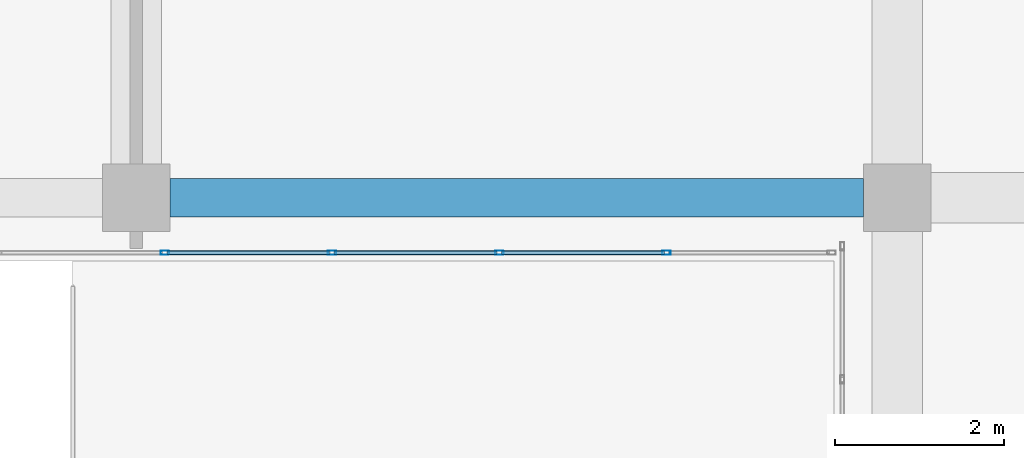
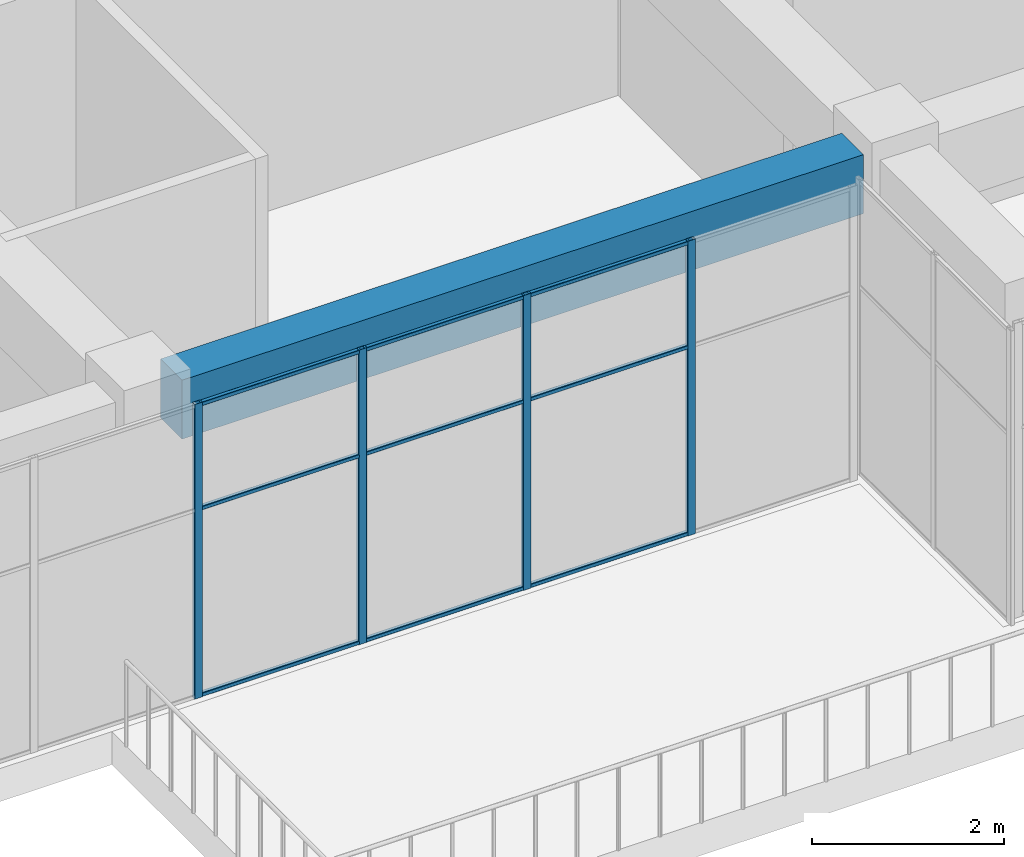
# One storey, part 35 of 81: 13 members, 1 beam, 1 element without a shape of its own.
"""IFC4 building model written with IfcOpenShell, lengths in metres."""

import ifcopenshell
import ifcopenshell.guid

model = None  # the IFC model being written
_history = None  # IfcOwnerHistory: only IFC2X3 demands one
_inside = {}  # id of a spatial element -> (the spatial element, [elements in it])
_under = {}  # id of a project, library or spatial element -> (it, [spatial elements below it])
_declared = {}  # id of a project -> (the project, [libraries it declares])
_typed = {}  # id of a type object -> (the type object, [elements of that type])
_made_of = {}  # id of a material, layer set ... -> (it, [elements and type objects made of it])


def new_model(schema):
    """Start an empty IFC model of exactly this schema.

    Asked for "IFC4X3", IfcOpenShell would pick the latest addendum, in which some entities
    have other attributes; the version numbers below select the first issue.
    IFC2X3 requires an IfcOwnerHistory on every rooted entity: one is made here for all.
    """
    global model, _history
    if schema == "IFC4X3":
        model = ifcopenshell.file(schema_version=(4, 3, 0, 0))
    else:
        model = ifcopenshell.file(schema=schema)
    _inside.clear()
    _under.clear()
    _declared.clear()
    _typed.clear()
    _made_of.clear()
    _history = None
    if model.schema == "IFC2X3":
        org = make("IfcOrganization", Name="unknown")
        user = make(
            "IfcPersonAndOrganization",
            ThePerson=make("IfcPerson", FamilyName="unknown"),
            TheOrganization=org,
        )
        app = make(
            "IfcApplication",
            ApplicationDeveloper=org,
            Version="unknown",
            ApplicationFullName="unknown",
            ApplicationIdentifier="unknown",
        )
        _history = make(
            "IfcOwnerHistory",
            OwningUser=user,
            OwningApplication=app,
            ChangeAction="ADDED",
            CreationDate=0,
        )
    return model


def make(cls, **values):
    """One entity of the class cls with the attributes given. An attribute that is None is left unset."""
    return model.create_entity(
        cls, **{name: value for name, value in values.items() if value is not None}
    )


def rooted(cls, **values):
    """An entity with a GlobalId (a new one), such as an element, a storey or a relation."""
    return make(cls, GlobalId=ifcopenshell.guid.new(), OwnerHistory=_history, **values)


def si_unit(unit_type, name, prefix=None):
    """IfcSIUnit, for example si_unit("LENGTHUNIT", "METRE", prefix="MILLI")."""
    return make("IfcSIUnit", UnitType=unit_type, Prefix=prefix, Name=name)


def assignment(units):
    """IfcUnitAssignment: the units of a project."""
    return None if units is None else make("IfcUnitAssignment", Units=units)


def point(xyz):
    """IfcCartesianPoint."""
    return None if xyz is None else make("IfcCartesianPoint", Coordinates=xyz)


def direction(xyz):
    """IfcDirection."""
    return None if xyz is None else make("IfcDirection", DirectionRatios=xyz)


def frame(location, z_axis=None, x_axis=None):
    """IfcAxis2Placement3D, a coordinate frame: its origin and axes. An axis left out is left unset."""
    return make(
        "IfcAxis2Placement3D",
        Location=point(location),
        Axis=direction(z_axis),
        RefDirection=direction(x_axis),
    )


def frame_2d(location, x_axis=None):
    """IfcAxis2Placement2D, a coordinate frame in the plane: its origin and x axis."""
    return make(
        "IfcAxis2Placement2D", Location=point(location), RefDirection=direction(x_axis)
    )


def origin():
    """The frame at (0, 0, 0) with its axes left unset."""
    return frame((0.0, 0.0, 0.0))


def origin_2d():
    """The frame at (0, 0) in the plane with its x axis left unset."""
    return frame_2d((0.0, 0.0))


def place(relative_to, where):
    """IfcLocalPlacement: puts the frame where relative to a parent placement (None: the world)."""
    return make(
        "IfcLocalPlacement", PlacementRelTo=relative_to, RelativePlacement=where
    )


def context(
    kind, dimensions, precision=None, world=None, true_north=None, identifier=None
):
    """IfcGeometricRepresentationContext, for example the 3D "Model" context."""
    return make(
        "IfcGeometricRepresentationContext",
        ContextIdentifier=identifier,
        ContextType=kind,
        CoordinateSpaceDimension=dimensions,
        Precision=precision,
        WorldCoordinateSystem=world,
        TrueNorth=true_north,
    )


def subcontext(parent, identifier, kind, view, scale=None):
    """IfcGeometricRepresentationSubContext, for example "Body" below "Model"."""
    return make(
        "IfcGeometricRepresentationSubContext",
        ContextIdentifier=identifier,
        ContextType=kind,
        ParentContext=parent,
        TargetScale=scale,
        TargetView=view,
    )


def project(units=None, contexts=None):
    """IfcProject with its units and contexts."""
    return rooted(
        "IfcProject",
        Name="project",
        RepresentationContexts=contexts,
        UnitsInContext=assignment(units),
    )


def spatial(cls, under=None, at=None, **own):
    """A site, building, storey or space (cls), placed at a placement, below another one or the project."""
    s = rooted(cls, ObjectPlacement=at, **own)
    if under is not None:
        _under.setdefault(under.id(), (under, []))[1].append(s)
    return s


def profile(cls, at=None, kind="AREA", **sizes):
    """A parametric profile (cls). Its sizes go by their IFC names, for example OverallWidth=200.0."""
    return make(cls, ProfileType=kind, Position=at, **sizes)


def rectangle(**sizes):
    """IfcRectangleProfileDef."""
    return profile("IfcRectangleProfileDef", **sizes)


def hollow_rectangle(**sizes):
    """IfcRectangleHollowProfileDef."""
    return profile("IfcRectangleHollowProfileDef", **sizes)


def extrude(swept, where, along, depth):
    """IfcExtrudedAreaSolid: the profile swept, set in the frame where, extruded along a direction by depth."""
    return make(
        "IfcExtrudedAreaSolid",
        SweptArea=swept,
        Position=where,
        ExtrudedDirection=direction(along),
        Depth=depth,
    )


def shape(context_of_items, identifier, shape_type, items):
    """IfcShapeRepresentation: the items that make up one representation, for example the "Body"."""
    return make(
        "IfcShapeRepresentation",
        ContextOfItems=context_of_items,
        RepresentationIdentifier=identifier,
        RepresentationType=shape_type,
        Items=items,
    )


def material(Name=None, Category=None):
    """IfcMaterial."""
    return make("IfcMaterial", Name=Name, Category=Category)


def layer(
    of_material, thickness, ventilated=None, Name=None, Category=None, Priority=None
):
    """IfcMaterialLayer: one layer of a wall or slab, of a material (None: an air gap)."""
    return make(
        "IfcMaterialLayer",
        Material=of_material,
        LayerThickness=thickness,
        IsVentilated=ventilated,
        Name=Name,
        Category=Category,
        Priority=Priority,
    )


def layer_set(layers, Name=None):
    """IfcMaterialLayerSet."""
    return make("IfcMaterialLayerSet", MaterialLayers=layers, LayerSetName=Name)


def material_profile(
    of_material, cross_section, Name=None, Category=None, Priority=None
):
    """IfcMaterialProfile: a cross section and its material."""
    return make(
        "IfcMaterialProfile",
        Name=Name,
        Material=of_material,
        Profile=cross_section,
        Priority=Priority,
        Category=Category,
    )


def profile_set(profiles, Name=None, composite=None):
    """IfcMaterialProfileSet."""
    return make(
        "IfcMaterialProfileSet",
        Name=Name,
        MaterialProfiles=profiles,
        CompositeProfile=composite,
    )


def made_of(thing, what):
    """Note that an element or type object is made of a material, layer set ...; save() writes the relation."""
    if what is not None:
        _made_of.setdefault(what.id(), (what, []))[1].append(thing)
    return thing


def type_object(cls, material=None, **own):
    """A type object (cls), such as IfcWallType, which elements share."""
    return made_of(rooted(cls, **own), material)


def element(
    cls,
    number,
    at=None,
    inside=None,
    cuts=None,
    type_object=None,
    material=None,
    context=None,
    identifier="Body",
    shape_type=None,
    held_by="IfcProductDefinitionShape",
    body=None,
    shapes=None,
    **own,
):
    """One element of the class cls, such as IfcWall. Its Tag is "e" and its number.

    at: its placement. inside: the storey or other place that contains it. cuts: it is an
    opening in that element (IfcRelVoidsElement). A single representation is given by context,
    identifier, shape_type and body (its items); several are given by shapes. held_by: the class
    of the entity that holds the representations. save() writes the other relations.
    """
    e = rooted(cls, Tag="e%d" % number, ObjectPlacement=at, **own)
    if body is not None:
        shapes = [shape(context, identifier, shape_type, body)]
    if shapes is not None:
        e.Representation = make(held_by, Representations=shapes)
    if inside is not None:
        _inside.setdefault(inside.id(), (inside, []))[1].append(e)
    if cuts is not None:
        rooted(
            "IfcRelVoidsElement", RelatingBuildingElement=cuts, RelatedOpeningElement=e
        )
    if type_object is not None:
        _typed.setdefault(type_object.id(), (type_object, []))[1].append(e)
    return made_of(e, material)


def aggregate(whole, parts):
    """IfcRelAggregates: a whole, such as a stair, and the parts it consists of."""
    return rooted("IfcRelAggregates", RelatingObject=whole, RelatedObjects=parts)


def save(model, path):
    """Write the relations noted so far, then the file.

    IfcRelAggregates (storeys below a building ...), IfcRelContainedInSpatialStructure (elements
    in a storey), IfcRelDefinesByType, IfcRelAssociatesMaterial and IfcRelDeclares: one each for
    every whole, place, type object, material and project.
    """
    for whole, parts in _under.values():
        aggregate(whole, parts)
    for where, things in _inside.values():
        rooted(
            "IfcRelContainedInSpatialStructure",
            RelatedElements=things,
            RelatingStructure=where,
        )
    for kind, things in _typed.values():
        rooted("IfcRelDefinesByType", RelatedObjects=things, RelatingType=kind)
    for what, things in _made_of.values():
        rooted("IfcRelAssociatesMaterial", RelatedObjects=things, RelatingMaterial=what)
    for by, libraries in _declared.values():
        rooted("IfcRelDeclares", RelatingContext=by, RelatedDefinitions=libraries)
    model.write(path)


model = new_model("IFC4")

# Units and contexts
model_context = context("Model", 3, precision=1e-05, world=origin(), true_north=direction((0.0, 1.0)))
body_context = subcontext(model_context, "Body", "Model", "MODEL_VIEW")
ifc_project = project(units=[si_unit("LENGTHUNIT", "METRE"), si_unit("AREAUNIT", "SQUARE_METRE"), si_unit("VOLUMEUNIT", "CUBIC_METRE"), si_unit("PLANEANGLEUNIT", "RADIAN"), si_unit("MASSUNIT", "GRAM", prefix="KILO")], contexts=[model_context])

# Site, building, storey
site_placement = place(None, origin())
site = spatial("IfcSite", under=ifc_project, at=site_placement, CompositionType="ELEMENT")
building_placement = place(site_placement, origin())
building = spatial("IfcBuilding", under=site, at=building_placement, Name="Tuart Plaza Theatre", CompositionType="ELEMENT")
storey_placement = place(building_placement, frame((0.0, 0.0, 17.5)))
storey = spatial("IfcBuildingStorey", under=building, at=storey_placement, Name="L04", CompositionType="ELEMENT", Elevation=17.5)

# Beam
ifc_material_1 = material(Name="Concrete N40 (40 MPa)", Category="concrete")
ifc_material_profile_1 = material_profile(ifc_material_1, rectangle(XDim=0.449951171875, YDim=0.75, at=origin_2d()), Name="BEAM 450x750 Concrete N40 (40 MPa)")
ifc_profile_set_1 = profile_set([ifc_material_profile_1], Name="Concrete N40 (40 MPa)")
beam_type = type_object("IfcBeamType", Name="BEAM 450x750 Concrete N40 (40 MPa)", PredefinedType="BEAM", material=ifc_profile_set_1)
beam_placement = place(storey_placement, frame((123.39990234375, 56.0, 3.375), z_axis=(1.0, 0.0, 0.0), x_axis=(0.0, 1.0, 0.0)))
element("IfcBeam", 1, at=beam_placement, inside=storey, type_object=beam_type, Name="RB217", PredefinedType="BEAM", context=body_context, shape_type="SweptSolid", body=[
    extrude(rectangle(XDim=0.449951171875, YDim=0.75, at=origin_2d()), origin(), (0.0, 0.0, 1.0), 8.2001953125),
])

# Curtain wall, members
ifc_material_2 = material(Name="Aluminium and glass", Category="aluminium")
ifc_layer = layer(ifc_material_2, 0.10009765625)
ifc_layer_set = layer_set([ifc_layer], Name="CURTAIN WALL 2000 module")
curtain_wall_type = type_object("IfcCurtainWallType", Name="CURTAIN WALL 2000 module", PredefinedType="NOTDEFINED", material=ifc_layer_set)
curtain_wall_placement = place(storey_placement, origin())
curtain_wall = element("IfcCurtainWall", 2, at=curtain_wall_placement, inside=storey, type_object=curtain_wall_type, Name="CW87", PredefinedType="NOTDEFINED")
ifc_material_3 = material(Name="Aluminium 6063-T5", Category="aluminium")
ifc_material_profile_2 = material_profile(ifc_material_3, hollow_rectangle(XDim=0.050048828125, YDim=0.10009765625, WallThickness=0.00390625, InnerFilletRadius=0.00390625, OuterFilletRadius=0.008056640625, at=origin_2d()), Name="RHS 100x50x4")
ifc_profile_set_2 = profile_set([ifc_material_profile_2], Name="Aluminium 6063-T5")
member_type_1 = type_object("IfcMemberType", Name="MULLION RHS 100x50x4", PredefinedType="MULLION", material=ifc_profile_set_2)
member_1_placement = place(storey_placement, frame((123.3388671875, 55.35009765625, 0.0), z_axis=(0.0, 0.0, 1.0), x_axis=(0.0, 1.0, 0.0)))
member_1 = element("IfcMember", 3, at=member_1_placement, type_object=member_type_1, Name="CW87 mullion 6", PredefinedType="MULLION", context=body_context, shape_type="SweptSolid", body=[
    extrude(hollow_rectangle(XDim=0.050048828125, YDim=0.10009765625, WallThickness=0.00390625, InnerFilletRadius=0.00390625, OuterFilletRadius=0.008056640625, at=origin_2d()), origin(), (0.0, 0.0, 1.0), 3.75),
])
member_2_placement = place(storey_placement, frame((125.316650390625, 55.35009765625, 0.0), z_axis=(0.0, 0.0, 1.0), x_axis=(0.0, 1.0, 0.0)))
member_2 = element("IfcMember", 4, at=member_2_placement, type_object=member_type_1, Name="CW87 mullion 7", PredefinedType="MULLION", context=body_context, shape_type="SweptSolid", body=[
    extrude(hollow_rectangle(XDim=0.050048828125, YDim=0.10009765625, WallThickness=0.00390625, InnerFilletRadius=0.00390625, OuterFilletRadius=0.008056640625, at=origin_2d()), origin(), (0.0, 0.0, 1.0), 3.75),
])
member_3_placement = place(storey_placement, frame((127.29443359375, 55.35009765625, 0.0), z_axis=(0.0, 0.0, 1.0), x_axis=(0.0, 1.0, 0.0)))
member_3 = element("IfcMember", 5, at=member_3_placement, type_object=member_type_1, Name="CW87 mullion 8", PredefinedType="MULLION", context=body_context, shape_type="SweptSolid", body=[
    extrude(hollow_rectangle(XDim=0.050048828125, YDim=0.10009765625, WallThickness=0.00390625, InnerFilletRadius=0.00390625, OuterFilletRadius=0.008056640625, at=origin_2d()), origin(), (0.0, 0.0, 1.0), 3.75),
])
member_4_placement = place(storey_placement, frame((129.272216796875, 55.35009765625, 0.0), z_axis=(0.0, 0.0, 1.0), x_axis=(0.0, 1.0, 0.0)))
member_4 = element("IfcMember", 6, at=member_4_placement, type_object=member_type_1, Name="CW87 mullion 9", PredefinedType="MULLION", context=body_context, shape_type="SweptSolid", body=[
    extrude(hollow_rectangle(XDim=0.050048828125, YDim=0.10009765625, WallThickness=0.00390625, InnerFilletRadius=0.00390625, OuterFilletRadius=0.008056640625, at=origin_2d()), origin(), (0.0, 0.0, 1.0), 3.75),
])
ifc_material_4 = material(Name="Aluminium 6063-T5", Category="aluminium")
ifc_material_profile_3 = material_profile(ifc_material_4, hollow_rectangle(XDim=0.050048828125, YDim=0.050048828125, WallThickness=0.00390625, InnerFilletRadius=0.00390625, OuterFilletRadius=0.008056640625, at=origin_2d()), Name="RHS 50x50x4")
ifc_profile_set_3 = profile_set([ifc_material_profile_3], Name="Aluminium 6063-T5")
member_type_2 = type_object("IfcMemberType", Name="TRANSOM RHS 50x50x4", PredefinedType="USERDEFINED", material=ifc_profile_set_3)
member_5_placement = place(storey_placement, frame((123.36376953125, 55.35009765625, 0.02490234375), z_axis=(1.0, 0.0, 0.0), x_axis=(0.0, 1.0, 0.0)))
member_5 = element("IfcMember", 7, at=member_5_placement, type_object=member_type_2, Name="CW87 transom 6.1", ObjectType="TRANSOM", PredefinedType="USERDEFINED", context=body_context, shape_type="SweptSolid", body=[
    extrude(hollow_rectangle(XDim=0.050048828125, YDim=0.050048828125, WallThickness=0.00390625, InnerFilletRadius=0.00390625, OuterFilletRadius=0.008056640625, at=origin_2d()), origin(), (0.0, 0.0, 1.0), 1.927978515625),
])
member_6_placement = place(storey_placement, frame((123.36376953125, 55.35009765625, 2.39990234375), z_axis=(1.0, 0.0, 0.0), x_axis=(0.0, 1.0, 0.0)))
member_6 = element("IfcMember", 8, at=member_6_placement, type_object=member_type_2, Name="CW87 transom 6.2", ObjectType="TRANSOM", PredefinedType="USERDEFINED", context=body_context, shape_type="SweptSolid", body=[
    extrude(hollow_rectangle(XDim=0.050048828125, YDim=0.050048828125, WallThickness=0.00390625, InnerFilletRadius=0.00390625, OuterFilletRadius=0.008056640625, at=origin_2d()), origin(), (0.0, 0.0, 1.0), 1.927978515625),
])
member_7_placement = place(storey_placement, frame((123.36376953125, 55.35009765625, 3.72509765625), z_axis=(1.0, 0.0, 0.0), x_axis=(0.0, 1.0, 0.0)))
member_7 = element("IfcMember", 9, at=member_7_placement, type_object=member_type_2, Name="CW87 transom 6.3", ObjectType="TRANSOM", PredefinedType="USERDEFINED", context=body_context, shape_type="SweptSolid", body=[
    extrude(hollow_rectangle(XDim=0.050048828125, YDim=0.050048828125, WallThickness=0.00390625, InnerFilletRadius=0.00390625, OuterFilletRadius=0.008056640625, at=origin_2d()), origin(), (0.0, 0.0, 1.0), 1.927978515625),
])
member_8_placement = place(storey_placement, frame((125.341552734375, 55.35009765625, 0.02490234375), z_axis=(1.0, 0.0, 0.0), x_axis=(0.0, 1.0, 0.0)))
member_8 = element("IfcMember", 10, at=member_8_placement, type_object=member_type_2, Name="CW87 transom 7.1", ObjectType="TRANSOM", PredefinedType="USERDEFINED", context=body_context, shape_type="SweptSolid", body=[
    extrude(hollow_rectangle(XDim=0.050048828125, YDim=0.050048828125, WallThickness=0.00390625, InnerFilletRadius=0.00390625, OuterFilletRadius=0.008056640625, at=origin_2d()), origin(), (0.0, 0.0, 1.0), 1.927978515625),
])
member_9_placement = place(storey_placement, frame((125.341552734375, 55.35009765625, 2.39990234375), z_axis=(1.0, 0.0, 0.0), x_axis=(0.0, 1.0, 0.0)))
member_9 = element("IfcMember", 11, at=member_9_placement, type_object=member_type_2, Name="CW87 transom 7.2", ObjectType="TRANSOM", PredefinedType="USERDEFINED", context=body_context, shape_type="SweptSolid", body=[
    extrude(hollow_rectangle(XDim=0.050048828125, YDim=0.050048828125, WallThickness=0.00390625, InnerFilletRadius=0.00390625, OuterFilletRadius=0.008056640625, at=origin_2d()), origin(), (0.0, 0.0, 1.0), 1.927978515625),
])
member_10_placement = place(storey_placement, frame((125.341552734375, 55.35009765625, 3.72509765625), z_axis=(1.0, 0.0, 0.0), x_axis=(0.0, 1.0, 0.0)))
member_10 = element("IfcMember", 12, at=member_10_placement, type_object=member_type_2, Name="CW87 transom 7.3", ObjectType="TRANSOM", PredefinedType="USERDEFINED", context=body_context, shape_type="SweptSolid", body=[
    extrude(hollow_rectangle(XDim=0.050048828125, YDim=0.050048828125, WallThickness=0.00390625, InnerFilletRadius=0.00390625, OuterFilletRadius=0.008056640625, at=origin_2d()), origin(), (0.0, 0.0, 1.0), 1.927978515625),
])
member_11_placement = place(storey_placement, frame((127.3193359375, 55.35009765625, 0.02490234375), z_axis=(1.0, 0.0, 0.0), x_axis=(0.0, 1.0, 0.0)))
member_11 = element("IfcMember", 13, at=member_11_placement, type_object=member_type_2, Name="CW87 transom 8.1", ObjectType="TRANSOM", PredefinedType="USERDEFINED", context=body_context, shape_type="SweptSolid", body=[
    extrude(hollow_rectangle(XDim=0.050048828125, YDim=0.050048828125, WallThickness=0.00390625, InnerFilletRadius=0.00390625, OuterFilletRadius=0.008056640625, at=origin_2d()), origin(), (0.0, 0.0, 1.0), 1.927978515625),
])
member_12_placement = place(storey_placement, frame((127.3193359375, 55.35009765625, 2.39990234375), z_axis=(1.0, 0.0, 0.0), x_axis=(0.0, 1.0, 0.0)))
member_12 = element("IfcMember", 14, at=member_12_placement, type_object=member_type_2, Name="CW87 transom 8.2", ObjectType="TRANSOM", PredefinedType="USERDEFINED", context=body_context, shape_type="SweptSolid", body=[
    extrude(hollow_rectangle(XDim=0.050048828125, YDim=0.050048828125, WallThickness=0.00390625, InnerFilletRadius=0.00390625, OuterFilletRadius=0.008056640625, at=origin_2d()), origin(), (0.0, 0.0, 1.0), 1.927978515625),
])
member_13_placement = place(storey_placement, frame((127.3193359375, 55.35009765625, 3.72509765625), z_axis=(1.0, 0.0, 0.0), x_axis=(0.0, 1.0, 0.0)))
member_13 = element("IfcMember", 15, at=member_13_placement, type_object=member_type_2, Name="CW87 transom 8.3", ObjectType="TRANSOM", PredefinedType="USERDEFINED", context=body_context, shape_type="SweptSolid", body=[
    extrude(hollow_rectangle(XDim=0.050048828125, YDim=0.050048828125, WallThickness=0.00390625, InnerFilletRadius=0.00390625, OuterFilletRadius=0.008056640625, at=origin_2d()), origin(), (0.0, 0.0, 1.0), 1.927978515625),
])
aggregate(curtain_wall, [member_1, member_2, member_3, member_4, member_5, member_6, member_7, member_8, member_9, member_10, member_11, member_12, member_13])

save(model, "model.ifc")
